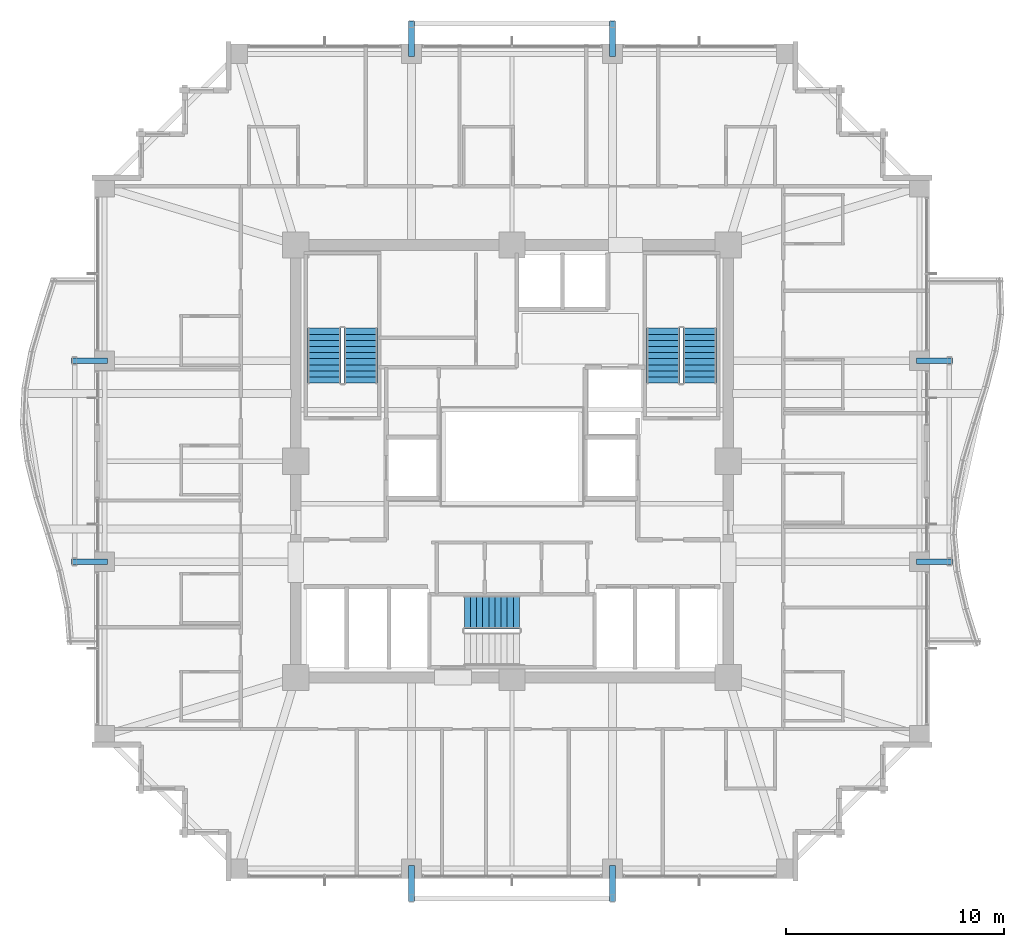
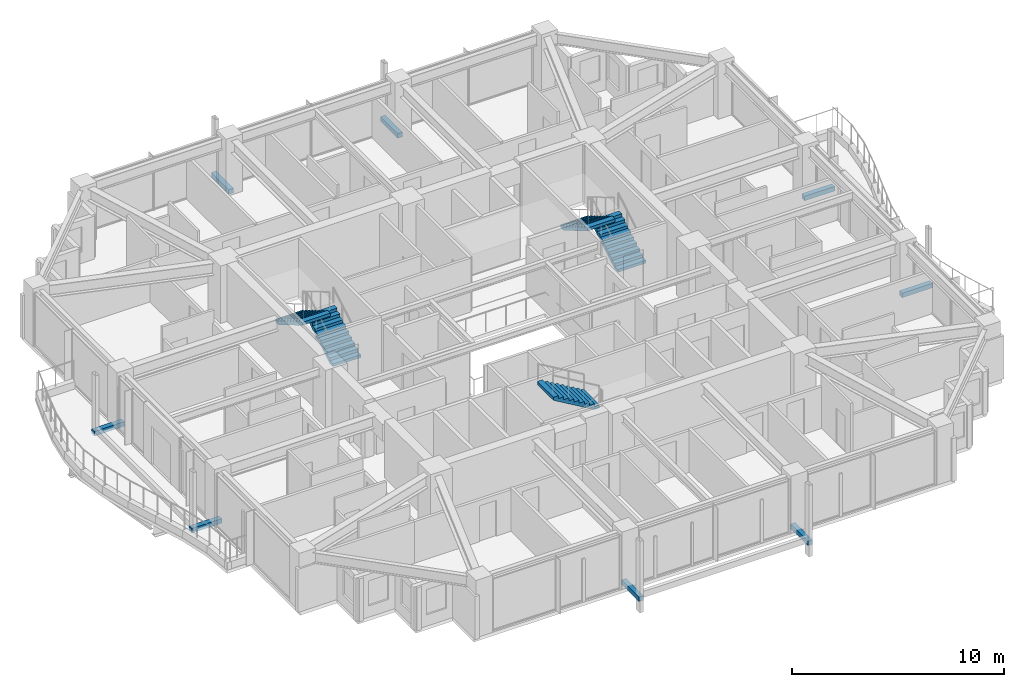
# One storey, part 35 of 37: 8 discrete accessories, 5 stair flights, 3 elements without a shape of their own.
"""IFC4 building model written with IfcOpenShell, lengths in metres."""

from ifc_helpers import new_model, si_unit, direction, frame, origin, origin_2d, place, context, subcontext, project, spatial, polyline, rectangle, outline, extrude, material, type_object, element, aggregate, save


model = new_model("IFC4")

# Units and contexts
model_context = context("Model", 3, precision=1e-05, world=origin(), true_north=direction((0.0, 1.0)))
body_context = subcontext(model_context, "Body", "Model", "MODEL_VIEW")
ifc_project = project(units=[si_unit("LENGTHUNIT", "METRE"), si_unit("AREAUNIT", "SQUARE_METRE"), si_unit("VOLUMEUNIT", "CUBIC_METRE"), si_unit("PLANEANGLEUNIT", "RADIAN"), si_unit("MASSUNIT", "GRAM", prefix="KILO")], contexts=[model_context])

# Site, building, storey
site_placement = place(None, origin())
site = spatial("IfcSite", under=ifc_project, at=site_placement, CompositionType="ELEMENT")
building_placement = place(site_placement, origin())
building = spatial("IfcBuilding", under=site, at=building_placement, Name="Kolvaren Belvedere", CompositionType="ELEMENT")
storey_placement = place(building_placement, frame((0.0, 0.0, 156.89990234375)))
storey = spatial("IfcBuildingStorey", under=building, at=storey_placement, Name="L45", CompositionType="ELEMENT", Elevation=156.89990234375)

# Stair, stair flights
ifc_material_1 = material(Name="Concrete C50/60", Category="concrete")
stair_type = type_object("IfcStairType", Name="ST-CORE-1520", PredefinedType="HALF_TURN_STAIR", material=ifc_material_1)
stair_1_placement = place(storey_placement, origin())
stair_1 = element("IfcStair", 1, at=stair_1_placement, inside=storey, type_object=stair_type, Name="L45 Protected Exit Stair ST-1", PredefinedType="HALF_TURN_STAIR")
ifc_material_2 = material(Name="Concrete C50/60", Category="concrete")
stair_flight_type = type_object("IfcStairFlightType", Name="SF-STR-1520", PredefinedType="STRAIGHT", material=ifc_material_2)
stair_flight_1_placement = place(storey_placement, frame((-6.919921875, 3.570068359375, 0.0), z_axis=(0.0, 0.0, 1.0), x_axis=(0.0, 1.0, 0.0)))
stair_flight_1 = element("IfcStairFlight", 2, at=stair_flight_1_placement, type_object=stair_flight_type, Name="ST-1 flight 1", NumberOfRisers=10, NumberOfTreads=9, PredefinedType="STRAIGHT", RiserHeight=0.165, TreadLength=0.28, context=body_context, shape_type="SweptSolid", body=[
    extrude(outline(polyline([(0.0, 0.0), (0.0, 0.1650390625), (0.280029296875, 0.1650390625), (0.280029296875, 0.330078125), (0.56005859375, 0.330078125), (0.56005859375, 0.4951171875), (0.840087890625, 0.4951171875), (0.840087890625, 0.659912109375), (1.1201171875, 0.659912109375), (1.1201171875, 0.824951171875), (1.39990234375, 0.824951171875), (1.39990234375, 0.989990234375), (1.679931640625, 0.989990234375), (1.679931640625, 1.155029296875), (1.9599609375, 1.155029296875), (1.9599609375, 1.320068359375), (2.239990234375, 1.320068359375), (2.239990234375, 1.485107421875), (2.52001953125, 1.485107421875), (2.52001953125, 1.64990234375), (2.52001953125, 1.31103515625), (0.295166015625, 0.0), (0.0, 0.0)])), frame((0.0, 0.760009765625, 0.0), z_axis=(0.0, -1.0, 0.0), x_axis=(1.0, 0.0, 0.0)), (0.0, 0.0, 1.0), 1.52001953125),
])
stair_flight_2_placement = place(storey_placement, frame((-8.590087890625, 6.090087890625, 1.650146484375), z_axis=(0.0, 0.0, 1.0), x_axis=(0.0, -1.0, 0.0)))
stair_flight_2 = element("IfcStairFlight", 3, at=stair_flight_2_placement, type_object=stair_flight_type, Name="ST-1 flight 2", NumberOfRisers=10, NumberOfTreads=9, PredefinedType="STRAIGHT", RiserHeight=0.165, TreadLength=0.28, context=body_context, shape_type="SweptSolid", body=[
    extrude(outline(polyline([(0.0, 0.0), (0.0, 0.1650390625), (0.280029296875, 0.1650390625), (0.280029296875, 0.330078125), (0.56005859375, 0.330078125), (0.56005859375, 0.4951171875), (0.840087890625, 0.4951171875), (0.840087890625, 0.659912109375), (1.1201171875, 0.659912109375), (1.1201171875, 0.824951171875), (1.39990234375, 0.824951171875), (1.39990234375, 0.989990234375), (1.679931640625, 0.989990234375), (1.679931640625, 1.155029296875), (1.9599609375, 1.155029296875), (1.9599609375, 1.320068359375), (2.239990234375, 1.320068359375), (2.239990234375, 1.485107421875), (2.52001953125, 1.485107421875), (2.52001953125, 1.64990234375), (2.52001953125, 1.31103515625), (0.295166015625, 0.0), (0.0, 0.0)])), frame((0.0, 0.760009765625, 0.0), z_axis=(0.0, -1.0, 0.0), x_axis=(1.0, 0.0, 0.0)), (0.0, 0.0, 1.0), 1.52001953125),
])
aggregate(stair_1, [stair_flight_1, stair_flight_2])

stair_2_placement = place(storey_placement, origin())
stair_2 = element("IfcStair", 4, at=stair_2_placement, inside=storey, type_object=stair_type, Name="L45 Protected Exit Stair ST-2", PredefinedType="HALF_TURN_STAIR")
stair_flight_3_placement = place(storey_placement, frame((8.590087890625, 3.570068359375, 0.0), z_axis=(0.0, 0.0, 1.0), x_axis=(0.0, 1.0, 0.0)))
stair_flight_3 = element("IfcStairFlight", 5, at=stair_flight_3_placement, type_object=stair_flight_type, Name="ST-2 flight 1", NumberOfRisers=10, NumberOfTreads=9, PredefinedType="STRAIGHT", RiserHeight=0.165, TreadLength=0.28, context=body_context, shape_type="SweptSolid", body=[
    extrude(outline(polyline([(0.0, 0.0), (0.0, 0.1650390625), (0.280029296875, 0.1650390625), (0.280029296875, 0.330078125), (0.56005859375, 0.330078125), (0.56005859375, 0.4951171875), (0.840087890625, 0.4951171875), (0.840087890625, 0.659912109375), (1.1201171875, 0.659912109375), (1.1201171875, 0.824951171875), (1.39990234375, 0.824951171875), (1.39990234375, 0.989990234375), (1.679931640625, 0.989990234375), (1.679931640625, 1.155029296875), (1.9599609375, 1.155029296875), (1.9599609375, 1.320068359375), (2.239990234375, 1.320068359375), (2.239990234375, 1.485107421875), (2.52001953125, 1.485107421875), (2.52001953125, 1.64990234375), (2.52001953125, 1.31103515625), (0.295166015625, 0.0), (0.0, 0.0)])), frame((0.0, 0.760009765625, 0.0), z_axis=(0.0, -1.0, 0.0), x_axis=(1.0, 0.0, 0.0)), (0.0, 0.0, 1.0), 1.52001953125),
])
stair_flight_4_placement = place(storey_placement, frame((6.919921875, 6.090087890625, 1.650146484375), z_axis=(0.0, 0.0, 1.0), x_axis=(0.0, -1.0, 0.0)))
stair_flight_4 = element("IfcStairFlight", 6, at=stair_flight_4_placement, type_object=stair_flight_type, Name="ST-2 flight 2", NumberOfRisers=10, NumberOfTreads=9, PredefinedType="STRAIGHT", RiserHeight=0.165, TreadLength=0.28, context=body_context, shape_type="SweptSolid", body=[
    extrude(outline(polyline([(0.0, 0.0), (0.0, 0.1650390625), (0.280029296875, 0.1650390625), (0.280029296875, 0.330078125), (0.56005859375, 0.330078125), (0.56005859375, 0.4951171875), (0.840087890625, 0.4951171875), (0.840087890625, 0.659912109375), (1.1201171875, 0.659912109375), (1.1201171875, 0.824951171875), (1.39990234375, 0.824951171875), (1.39990234375, 0.989990234375), (1.679931640625, 0.989990234375), (1.679931640625, 1.155029296875), (1.9599609375, 1.155029296875), (1.9599609375, 1.320068359375), (2.239990234375, 1.320068359375), (2.239990234375, 1.485107421875), (2.52001953125, 1.485107421875), (2.52001953125, 1.64990234375), (2.52001953125, 1.31103515625), (0.295166015625, 0.0), (0.0, 0.0)])), frame((0.0, 0.760009765625, 0.0), z_axis=(0.0, -1.0, 0.0), x_axis=(1.0, 0.0, 0.0)), (0.0, 0.0, 1.0), 1.52001953125),
])
aggregate(stair_2, [stair_flight_3, stair_flight_4])

# Stair, stair flight
stair_3_placement = place(storey_placement, origin())
stair_3 = element("IfcStair", 7, at=stair_3_placement, inside=storey, type_object=stair_type, Name="L45 Protected Exit Stair ST-3", PredefinedType="HALF_TURN_STAIR")
stair_flight_5_placement = place(storey_placement, frame((0.340087890625, -6.919921875, 1.650146484375), z_axis=(0.0, 0.0, 1.0), x_axis=(-1.0, 0.0, 0.0)))
stair_flight_5 = element("IfcStairFlight", 8, at=stair_flight_5_placement, type_object=stair_flight_type, Name="ST-3 flight 2", NumberOfRisers=10, NumberOfTreads=9, PredefinedType="STRAIGHT", RiserHeight=0.165, TreadLength=0.28, context=body_context, shape_type="SweptSolid", body=[
    extrude(outline(polyline([(0.0, 0.0), (0.0, 0.1650390625), (0.280029296875, 0.1650390625), (0.280029296875, 0.330078125), (0.56005859375, 0.330078125), (0.56005859375, 0.4951171875), (0.840087890625, 0.4951171875), (0.840087890625, 0.659912109375), (1.1201171875, 0.659912109375), (1.1201171875, 0.824951171875), (1.39990234375, 0.824951171875), (1.39990234375, 0.989990234375), (1.679931640625, 0.989990234375), (1.679931640625, 1.155029296875), (1.9599609375, 1.155029296875), (1.9599609375, 1.320068359375), (2.239990234375, 1.320068359375), (2.239990234375, 1.485107421875), (2.52001953125, 1.485107421875), (2.52001953125, 1.64990234375), (2.52001953125, 1.31103515625), (0.295166015625, 0.0), (0.0, 0.0)])), frame((0.0, 0.760009765625, 0.0), z_axis=(0.0, -1.0, 0.0), x_axis=(1.0, 0.0, 0.0)), (0.0, 0.0, 1.0), 1.52001953125),
])
aggregate(stair_3, [stair_flight_5])

# Discrete accessories
ifc_material_3 = material(Name="Structural steel ASTM A572 Grade 50", Category="steel")
discrete_accessory_type = type_object("IfcDiscreteAccessoryType", Name="BRK-1 Steel Facade Support Bracket", PredefinedType="BRACKET", material=ifc_material_3)
for number, where, z_axis, x_axis, name in (
    (9, (-4.60009765625, 19.3349609375, -0.169921875), (0.0, 0.0, 1.0), (0.0, 1.0, 0.0), "L45 Picture-Frame Outrigger Cleat Bracket N1"),
    (10, (4.60009765625, 19.3349609375, -0.169921875), (0.0, 0.0, 1.0), (0.0, 1.0, 0.0), "L45 Picture-Frame Outrigger Cleat Bracket N2"),
    (11, (4.60009765625, -19.3349609375, -0.169921875), (0.0, 0.0, 1.0), (0.0, 1.0, 0.0), "L45 Picture-Frame Outrigger Cleat Bracket S1"),
    (12, (-4.60009765625, -19.3349609375, -0.169921875), (0.0, 0.0, 1.0), (0.0, 1.0, 0.0), "L45 Picture-Frame Outrigger Cleat Bracket S2"),
    (13, (19.3349609375, 4.60009765625, -0.169921875), (0.0, 0.0, 1.0), (1.0, 0.0, 0.0), "L45 Picture-Frame Outrigger Cleat Bracket E1"),
    (14, (19.3349609375, -4.60009765625, -0.169921875), (0.0, 0.0, 1.0), (1.0, 0.0, 0.0), "L45 Picture-Frame Outrigger Cleat Bracket E2"),
    (15, (-19.3349609375, -4.60009765625, -0.169921875), (0.0, 0.0, 1.0), (1.0, 0.0, 0.0), "L45 Picture-Frame Outrigger Cleat Bracket W1"),
    (16, (-19.3349609375, 4.60009765625, -0.169921875), (0.0, 0.0, 1.0), (1.0, 0.0, 0.0), "L45 Picture-Frame Outrigger Cleat Bracket W2"),
):
    element("IfcDiscreteAccessory", number, at=place(storey_placement, frame(where, z_axis=z_axis, x_axis=x_axis)), inside=storey, type_object=discrete_accessory_type, Name=name, PredefinedType="BRACKET", context=body_context, shape_type="SweptSolid", body=[
        extrude(rectangle(XDim=1.639892578125, YDim=0.260009765625, at=origin_2d()), origin(), (0.0, 0.0, 1.0), 0.260009765625),
    ])

save(model, "model.ifc")
